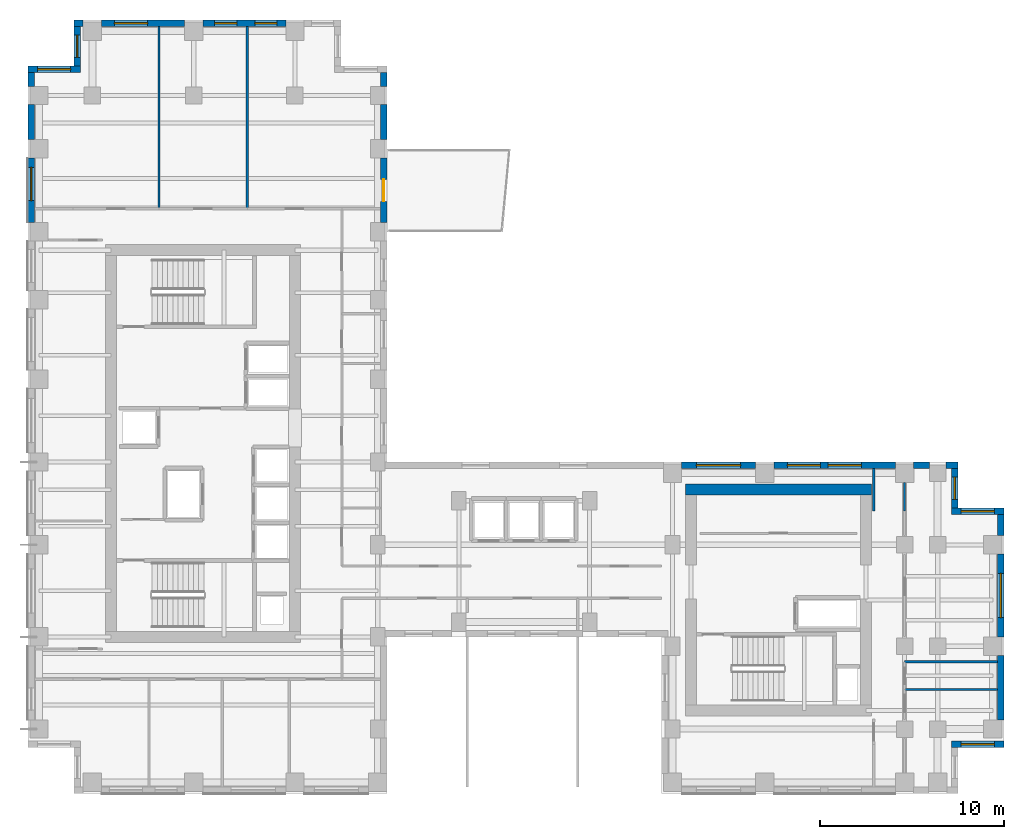
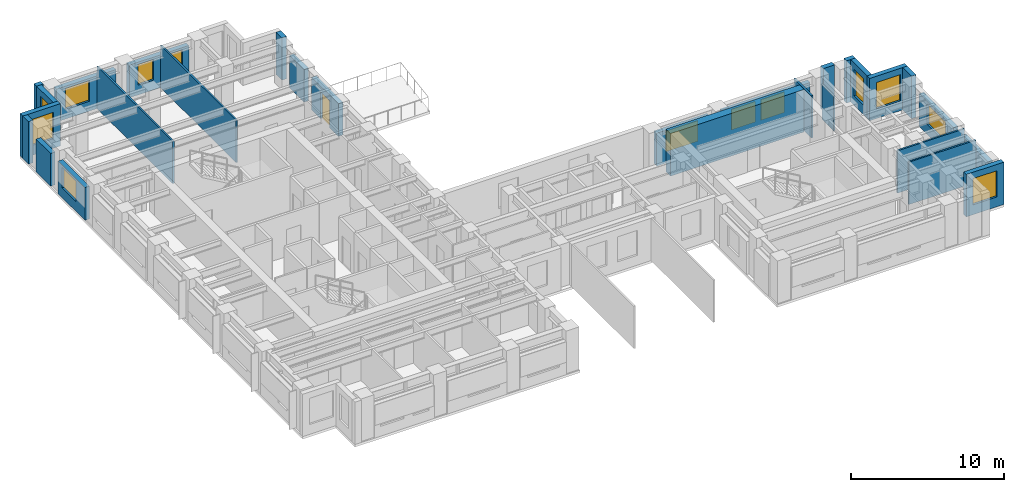
# One storey, part 8 of 11: 28 walls, 13 windows, 1 door, 14 openings.
"""IFC4 building model written with IfcOpenShell, lengths in metres."""

from ifc_helpers import new_model, si_unit, direction, frame, frame_2d, origin, place, context, subcontext, project, spatial, rectangle, extrude, source, transform, mapped, material, layer, layer_set, type_object, element, fill, save


model = new_model("IFC4")

# Units and contexts
model_context = context("Model", 3, precision=1e-05, world=origin(), true_north=direction((0.0, 1.0)))
body_context = subcontext(model_context, "Body", "Model", "MODEL_VIEW")
ifc_project = project(units=[si_unit("LENGTHUNIT", "METRE"), si_unit("AREAUNIT", "SQUARE_METRE"), si_unit("VOLUMEUNIT", "CUBIC_METRE"), si_unit("PLANEANGLEUNIT", "RADIAN"), si_unit("MASSUNIT", "GRAM", prefix="KILO")], contexts=[model_context])

# Site, building, storey
site_placement = place(None, origin())
site = spatial("IfcSite", under=ifc_project, at=site_placement, CompositionType="ELEMENT")
building_placement = place(site_placement, origin())
building = spatial("IfcBuilding", under=site, at=building_placement, Name="Kharzan Plaza Tower", CompositionType="ELEMENT")
storey_placement = place(building_placement, frame((0.0, 0.0, 200.699951171875)))
storey = spatial("IfcBuildingStorey", under=building, at=storey_placement, Name="L54", CompositionType="ELEMENT", Elevation=200.699951171875)

# Wall, openings, windows
ifc_material_1 = material(Name="Concrete C40/50", Category="concrete")
ifc_layer_1 = layer(ifc_material_1, 0.35009765625)
ifc_layer_set_1 = layer_set([ifc_layer_1], Name="Concrete C40/50")
wall_type_1 = type_object("IfcWallType", Name="WL-EXT-MAS-Z3", PredefinedType="SOLIDWALL", material=ifc_layer_set_1)
wall_1_placement = place(storey_placement, frame((14.001953125, 41.824951171875, 0.0), z_axis=(0.0, 0.0, 1.0), x_axis=(-1.0, 0.0, 0.0)))
wall_1 = element("IfcWall", 1, at=wall_1_placement, inside=storey, type_object=wall_type_1, Name="L54 Masonry-Frame Exterior Wall 04", PredefinedType="SOLIDWALL", context=body_context, shape_type="SweptSolid", body=[
    extrude(rectangle(XDim=4.50390625, YDim=0.35009765625, at=frame_2d((2.251953125, 0.0))), origin(), (0.0, 0.0, 1.0), 2.612060546875),
])
opening_1_placement = place(wall_1_placement, frame((0.47802734375, 0.0, 0.780029296875)))
opening_1 = element("IfcOpeningElement", 2, at=opening_1_placement, cuts=wall_1, Name="Opening W3", PredefinedType="OPENING", context=body_context, shape_type="SweptSolid", body=[
    extrude(rectangle(XDim=1.199951171875, YDim=1.652099609375, at=frame_2d((0.60009765625, 0.826171875))), frame((0.0, 0.18505859375, 0.0), z_axis=(0.0, -1.0, 0.0), x_axis=(1.0, 0.0, 0.0)), (0.0, 0.0, 1.0), 0.3701171875),
])
opening_2_placement = place(wall_1_placement, frame((2.659912109375, 0.0, 0.780029296875)))
opening_2 = element("IfcOpeningElement", 3, at=opening_2_placement, cuts=wall_1, Name="Opening W3", PredefinedType="OPENING", context=body_context, shape_type="SweptSolid", body=[
    extrude(rectangle(XDim=1.199951171875, YDim=1.652099609375, at=frame_2d((0.60009765625, 0.826171875))), frame((0.0, 0.18505859375, 0.0), z_axis=(0.0, -1.0, 0.0), x_axis=(1.0, 0.0, 0.0)), (0.0, 0.0, 1.0), 0.3701171875),
])
ifc_material_2 = material(Name="Low-E Double Glazing", Category="glass")
window_type_1 = type_object("IfcWindowType", Name="WN-REC-1200x2100", PartitioningType="SINGLE_PANEL", PredefinedType="WINDOW", material=ifc_material_2)
shared_shape_1 = source(origin(), body_context, "Body", "SweptSolid", [
    extrude(rectangle(XDim=1.199951171875, YDim=1.652099609375, at=frame_2d((0.60009765625, 0.826171875))), frame((0.0, 0.030029296875, 0.0), z_axis=(0.0, -1.0, 0.0), x_axis=(1.0, 0.0, 0.0)), (0.0, 0.0, 1.0), 0.06005859375),
])
window_1_placement = place(opening_1_placement, origin())
window_1 = element("IfcWindow", 4, at=window_1_placement, inside=storey, type_object=window_type_1, Name="L54 Recessed Solar-Control Window 04-1", OverallHeight=1.652099609375, OverallWidth=1.199951171875, PartitioningType="SINGLE_PANEL", PredefinedType="WINDOW", context=body_context, shape_type="MappedRepresentation", body=[
    mapped(shared_shape_1, transform((0.0, 0.0, 0.0), x_axis=(1.0, 0.0, 0.0), y_axis=(0.0, 1.0, 0.0), z_axis=(0.0, 0.0, 1.0))),
])
fill(opening_1, window_1)
window_2_placement = place(opening_2_placement, origin())
window_2 = element("IfcWindow", 5, at=window_2_placement, inside=storey, type_object=window_type_1, Name="L54 Recessed Solar-Control Window 04-2", OverallHeight=1.652099609375, OverallWidth=1.199951171875, PartitioningType="SINGLE_PANEL", PredefinedType="WINDOW", context=body_context, shape_type="MappedRepresentation", body=[
    mapped(shared_shape_1, transform((0.0, 0.0, 0.0), x_axis=(1.0, 0.0, 0.0), y_axis=(0.0, 1.0, 0.0), z_axis=(0.0, 0.0, 1.0))),
])
fill(opening_2, window_2)

# Wall, opening, window
wall_2_placement = place(storey_placement, frame((8.501953125, 41.824951171875, 0.0), z_axis=(0.0, 0.0, 1.0), x_axis=(-1.0, 0.0, 0.0)))
wall_2 = element("IfcWall", 6, at=wall_2_placement, inside=storey, type_object=wall_type_1, Name="L54 Masonry-Frame Exterior Wall 05", PredefinedType="SOLIDWALL", context=body_context, shape_type="SweptSolid", body=[
    extrude(rectangle(XDim=4.50390625, YDim=0.35009765625, at=frame_2d((2.251953125, 0.0))), origin(), (0.0, 0.0, 1.0), 2.612060546875),
])
opening_3_placement = place(wall_2_placement, frame((2.007568359375, 0.0, 0.780029296875)))
opening_3 = element("IfcOpeningElement", 7, at=opening_3_placement, cuts=wall_2, Name="Opening W1", PredefinedType="OPENING", context=body_context, shape_type="SweptSolid", body=[
    extrude(rectangle(XDim=1.800048828125, YDim=1.652099609375, at=frame_2d((0.89990234375, 0.826171875))), frame((0.0, 0.18505859375, 0.0), z_axis=(0.0, -1.0, 0.0), x_axis=(1.0, 0.0, 0.0)), (0.0, 0.0, 1.0), 0.3701171875),
])
window_type_2 = type_object("IfcWindowType", Name="WN-REC-1800x2100", PartitioningType="SINGLE_PANEL", PredefinedType="WINDOW", material=ifc_material_2)
shared_shape_2 = source(origin(), body_context, "Body", "SweptSolid", [
    extrude(rectangle(XDim=1.800048828125, YDim=1.652099609375, at=frame_2d((0.89990234375, 0.826171875))), frame((0.0, 0.030029296875, 0.0), z_axis=(0.0, -1.0, 0.0), x_axis=(1.0, 0.0, 0.0)), (0.0, 0.0, 1.0), 0.06005859375),
])
window_3_placement = place(opening_3_placement, origin())
window_3 = element("IfcWindow", 8, at=window_3_placement, inside=storey, type_object=window_type_2, Name="L54 Recessed Solar-Control Window 05-1", OverallHeight=1.652099609375, OverallWidth=1.800048828125, PartitioningType="SINGLE_PANEL", PredefinedType="WINDOW", context=body_context, shape_type="MappedRepresentation", body=[
    mapped(shared_shape_2, transform((0.0, 0.0, 0.0), x_axis=(1.0, 0.0, 0.0), y_axis=(0.0, 1.0, 0.0), z_axis=(0.0, 0.0, 1.0))),
])
fill(opening_3, window_3)

wall_3_placement = place(storey_placement, frame((2.675048828125, 41.652099609375, 0.0), z_axis=(0.0, 0.0, 1.0), x_axis=(0.0, -1.0, 0.0)))
wall_3 = element("IfcWall", 9, at=wall_3_placement, inside=storey, type_object=wall_type_1, Name="L54 Masonry-Frame Exterior Wall 07", PredefinedType="SOLIDWALL", context=body_context, shape_type="SweptSolid", body=[
    extrude(rectangle(XDim=2.154052734375, YDim=0.35009765625, at=frame_2d((1.0771484375, 0.0))), origin(), (0.0, 0.0, 1.0), 3.385009765625),
])
opening_4_placement = place(wall_3_placement, frame((0.47705078125, 0.0, 0.780029296875)))
opening_4 = element("IfcOpeningElement", 10, at=opening_4_placement, cuts=wall_3, Name="Opening W3", PredefinedType="OPENING", context=body_context, shape_type="SweptSolid", body=[
    extrude(rectangle(XDim=1.199951171875, YDim=2.10009765625, at=frame_2d((0.60009765625, 1.050048828125))), frame((0.0, 0.18505859375, 0.0), z_axis=(0.0, -1.0, 0.0), x_axis=(1.0, 0.0, 0.0)), (0.0, 0.0, 1.0), 0.3701171875),
])
shared_shape_3 = source(origin(), body_context, "Body", "SweptSolid", [
    extrude(rectangle(XDim=1.199951171875, YDim=2.10009765625, at=frame_2d((0.60009765625, 1.050048828125))), frame((0.0, 0.030029296875, 0.0), z_axis=(0.0, -1.0, 0.0), x_axis=(1.0, 0.0, 0.0)), (0.0, 0.0, 1.0), 0.06005859375),
])
window_4_placement = place(opening_4_placement, origin())
window_4 = element("IfcWindow", 11, at=window_4_placement, inside=storey, type_object=window_type_1, Name="L54 Recessed Solar-Control Window 07-1", OverallHeight=2.10009765625, OverallWidth=1.199951171875, PartitioningType="SINGLE_PANEL", PredefinedType="WINDOW", context=body_context, shape_type="MappedRepresentation", body=[
    mapped(shared_shape_3, transform((0.0, 0.0, 0.0), x_axis=(1.0, 0.0, 0.0), y_axis=(0.0, 1.0, 0.0), z_axis=(0.0, 0.0, 1.0))),
])
fill(opening_4, window_4)

wall_4_placement = place(storey_placement, frame((2.85009765625, 39.324951171875, 0.0), z_axis=(0.0, 0.0, 1.0), x_axis=(-1.0, 0.0, 0.0)))
wall_4 = element("IfcWall", 12, at=wall_4_placement, inside=storey, type_object=wall_type_1, Name="L54 Masonry-Frame Exterior Wall 08", PredefinedType="SOLIDWALL", context=body_context, shape_type="SweptSolid", body=[
    extrude(rectangle(XDim=2.85009765625, YDim=0.35009765625, at=frame_2d((1.425048828125, 0.0))), origin(), (0.0, 0.0, 1.0), 3.385009765625),
])
opening_5_placement = place(wall_4_placement, frame((0.52490234375, 0.0, 0.780029296875)))
opening_5 = element("IfcOpeningElement", 13, at=opening_5_placement, cuts=wall_4, Name="Opening W1", PredefinedType="OPENING", context=body_context, shape_type="SweptSolid", body=[
    extrude(rectangle(XDim=1.800048828125, YDim=2.10009765625, at=frame_2d((0.89990234375, 1.050048828125))), frame((0.0, 0.18505859375, 0.0), z_axis=(0.0, -1.0, 0.0), x_axis=(1.0, 0.0, 0.0)), (0.0, 0.0, 1.0), 0.3701171875),
])
shared_shape_4 = source(origin(), body_context, "Body", "SweptSolid", [
    extrude(rectangle(XDim=1.800048828125, YDim=2.10009765625, at=frame_2d((0.89990234375, 1.050048828125))), frame((0.0, 0.030029296875, 0.0), z_axis=(0.0, -1.0, 0.0), x_axis=(1.0, 0.0, 0.0)), (0.0, 0.0, 1.0), 0.06005859375),
])
window_5_placement = place(opening_5_placement, origin())
window_5 = element("IfcWindow", 14, at=window_5_placement, inside=storey, type_object=window_type_2, Name="L54 Recessed Solar-Control Window 08-1", OverallHeight=2.10009765625, OverallWidth=1.800048828125, PartitioningType="SINGLE_PANEL", PredefinedType="WINDOW", context=body_context, shape_type="MappedRepresentation", body=[
    mapped(shared_shape_4, transform((0.0, 0.0, 0.0), x_axis=(1.0, 0.0, 0.0), y_axis=(0.0, 1.0, 0.0), z_axis=(0.0, 0.0, 1.0))),
])
fill(opening_5, window_5)

wall_5_placement = place(storey_placement, frame((0.175048828125, 34.501953125, 0.0), z_axis=(0.0, 0.0, 1.0), x_axis=(0.0, -1.0, 0.0)))
wall_5 = element("IfcWall", 15, at=wall_5_placement, inside=storey, type_object=wall_type_1, Name="L54 Masonry-Frame Exterior Wall 11", PredefinedType="SOLIDWALL", context=body_context, shape_type="SweptSolid", body=[
    extrude(rectangle(XDim=3.50390625, YDim=0.35009765625, at=frame_2d((1.751953125, 0.0))), origin(), (0.0, 0.0, 1.0), 2.612060546875),
])
opening_6_placement = place(wall_5_placement, frame((0.510986328125, 0.0, 0.780029296875)))
opening_6 = element("IfcOpeningElement", 16, at=opening_6_placement, cuts=wall_5, Name="Opening W1", PredefinedType="OPENING", context=body_context, shape_type="SweptSolid", body=[
    extrude(rectangle(XDim=1.800048828125, YDim=1.652099609375, at=frame_2d((0.89990234375, 0.826171875))), frame((0.0, 0.18505859375, 0.0), z_axis=(0.0, -1.0, 0.0), x_axis=(1.0, 0.0, 0.0)), (0.0, 0.0, 1.0), 0.3701171875),
])
window_6_placement = place(opening_6_placement, origin())
window_6 = element("IfcWindow", 17, at=window_6_placement, inside=storey, type_object=window_type_2, Name="L54 Recessed Solar-Control Window 11-1", OverallHeight=1.652099609375, OverallWidth=1.800048828125, PartitioningType="SINGLE_PANEL", PredefinedType="WINDOW", context=body_context, shape_type="MappedRepresentation", body=[
    mapped(shared_shape_2, transform((0.0, 0.0, 0.0), x_axis=(1.0, 0.0, 0.0), y_axis=(0.0, 1.0, 0.0), z_axis=(0.0, 0.0, 1.0))),
])
fill(opening_6, window_6)

wall_6_placement = place(storey_placement, frame((50.14990234375, 2.675048828125, 0.0), z_axis=(0.0, 0.0, 1.0), x_axis=(1.0, 0.0, 0.0)))
wall_6 = element("IfcWall", 18, at=wall_6_placement, inside=storey, type_object=wall_type_1, Name="L54 Masonry-Frame Exterior Wall 36", PredefinedType="SOLIDWALL", context=body_context, shape_type="SweptSolid", body=[
    extrude(rectangle(XDim=2.85009765625, YDim=0.35009765625, at=frame_2d((1.425048828125, 0.0))), origin(), (0.0, 0.0, 1.0), 3.385009765625),
])
opening_7_placement = place(wall_6_placement, frame((0.52490234375, 0.0, 0.780029296875)))
opening_7 = element("IfcOpeningElement", 19, at=opening_7_placement, cuts=wall_6, Name="Opening W1", PredefinedType="OPENING", context=body_context, shape_type="SweptSolid", body=[
    extrude(rectangle(XDim=1.800048828125, YDim=2.10009765625, at=frame_2d((0.89990234375, 1.050048828125))), frame((0.0, 0.18505859375, 0.0), z_axis=(0.0, -1.0, 0.0), x_axis=(1.0, 0.0, 0.0)), (0.0, 0.0, 1.0), 0.3701171875),
])
window_7_placement = place(opening_7_placement, origin())
window_7 = element("IfcWindow", 20, at=window_7_placement, inside=storey, type_object=window_type_2, Name="L54 Recessed Solar-Control Window 36-1", OverallHeight=2.10009765625, OverallWidth=1.800048828125, PartitioningType="SINGLE_PANEL", PredefinedType="WINDOW", context=body_context, shape_type="MappedRepresentation", body=[
    mapped(shared_shape_4, transform((0.0, 0.0, 0.0), x_axis=(1.0, 0.0, 0.0), y_axis=(0.0, 1.0, 0.0), z_axis=(0.0, 0.0, 1.0))),
])
fill(opening_7, window_7)

wall_7_placement = place(storey_placement, frame((52.824951171875, 8.498046875, 0.0), z_axis=(0.0, 0.0, 1.0), x_axis=(0.0, 1.0, 0.0)))
wall_7 = element("IfcWall", 21, at=wall_7_placement, inside=storey, type_object=wall_type_1, Name="L54 Masonry-Frame Exterior Wall 38", PredefinedType="SOLIDWALL", context=body_context, shape_type="SweptSolid", body=[
    extrude(rectangle(XDim=4.50390625, YDim=0.35009765625, at=frame_2d((2.251953125, 0.0))), origin(), (0.0, 0.0, 1.0), 2.612060546875),
])
opening_8_placement = place(wall_7_placement, frame((1.052001953125, 0.0, 0.780029296875)))
opening_8 = element("IfcOpeningElement", 22, at=opening_8_placement, cuts=wall_7, Name="Opening W2", PredefinedType="OPENING", context=body_context, shape_type="SweptSolid", body=[
    extrude(rectangle(XDim=2.39990234375, YDim=1.652099609375, at=frame_2d((1.199951171875, 0.826171875))), frame((0.0, 0.18505859375, 0.0), z_axis=(0.0, -1.0, 0.0), x_axis=(1.0, 0.0, 0.0)), (0.0, 0.0, 1.0), 0.3701171875),
])
window_type_3 = type_object("IfcWindowType", Name="WN-REC-2400x2100", PartitioningType="SINGLE_PANEL", PredefinedType="WINDOW", material=ifc_material_2)
shared_shape_5 = source(origin(), body_context, "Body", "SweptSolid", [
    extrude(rectangle(XDim=2.39990234375, YDim=1.652099609375, at=frame_2d((1.199951171875, 0.826171875))), frame((0.0, 0.030029296875, 0.0), z_axis=(0.0, -1.0, 0.0), x_axis=(1.0, 0.0, 0.0)), (0.0, 0.0, 1.0), 0.06005859375),
])
window_8_placement = place(opening_8_placement, origin())
window_8 = element("IfcWindow", 23, at=window_8_placement, inside=storey, type_object=window_type_3, Name="L54 Wide Recessed Solar-Control Window 38-1", OverallHeight=1.652099609375, OverallWidth=2.39990234375, PartitioningType="SINGLE_PANEL", PredefinedType="WINDOW", context=body_context, shape_type="MappedRepresentation", body=[
    mapped(shared_shape_5, transform((0.0, 0.0, 0.0), x_axis=(1.0, 0.0, 0.0), y_axis=(0.0, 1.0, 0.0), z_axis=(0.0, 0.0, 1.0))),
])
fill(opening_8, window_8)

wall_8_placement = place(storey_placement, frame((53.0, 15.324951171875, 0.0), z_axis=(0.0, 0.0, 1.0), x_axis=(-1.0, 0.0, 0.0)))
wall_8 = element("IfcWall", 24, at=wall_8_placement, inside=storey, type_object=wall_type_1, Name="L54 Masonry-Frame Exterior Wall 40", PredefinedType="SOLIDWALL", context=body_context, shape_type="SweptSolid", body=[
    extrude(rectangle(XDim=2.85009765625, YDim=0.35009765625, at=frame_2d((1.425048828125, 0.0))), origin(), (0.0, 0.0, 1.0), 3.385009765625),
])
opening_9_placement = place(wall_8_placement, frame((0.52490234375, 0.0, 0.780029296875)))
opening_9 = element("IfcOpeningElement", 25, at=opening_9_placement, cuts=wall_8, Name="Opening W1", PredefinedType="OPENING", context=body_context, shape_type="SweptSolid", body=[
    extrude(rectangle(XDim=1.800048828125, YDim=2.10009765625, at=frame_2d((0.89990234375, 1.050048828125))), frame((0.0, 0.18505859375, 0.0), z_axis=(0.0, -1.0, 0.0), x_axis=(1.0, 0.0, 0.0)), (0.0, 0.0, 1.0), 0.3701171875),
])
window_9_placement = place(opening_9_placement, origin())
window_9 = element("IfcWindow", 26, at=window_9_placement, inside=storey, type_object=window_type_2, Name="L54 Recessed Solar-Control Window 40-1", OverallHeight=2.10009765625, OverallWidth=1.800048828125, PartitioningType="SINGLE_PANEL", PredefinedType="WINDOW", context=body_context, shape_type="MappedRepresentation", body=[
    mapped(shared_shape_4, transform((0.0, 0.0, 0.0), x_axis=(1.0, 0.0, 0.0), y_axis=(0.0, 1.0, 0.0), z_axis=(0.0, 0.0, 1.0))),
])
fill(opening_9, window_9)

wall_9_placement = place(storey_placement, frame((50.324951171875, 15.498046875, 0.0), z_axis=(0.0, 0.0, 1.0), x_axis=(0.0, 1.0, 0.0)))
wall_9 = element("IfcWall", 27, at=wall_9_placement, inside=storey, type_object=wall_type_1, Name="L54 Masonry-Frame Exterior Wall 41", PredefinedType="SOLIDWALL", context=body_context, shape_type="SweptSolid", body=[
    extrude(rectangle(XDim=2.154052734375, YDim=0.35009765625, at=frame_2d((1.0771484375, 0.0))), origin(), (0.0, 0.0, 1.0), 3.385009765625),
])
opening_10_placement = place(wall_9_placement, frame((0.47705078125, 0.0, 0.780029296875)))
opening_10 = element("IfcOpeningElement", 28, at=opening_10_placement, cuts=wall_9, Name="Opening W3", PredefinedType="OPENING", context=body_context, shape_type="SweptSolid", body=[
    extrude(rectangle(XDim=1.199951171875, YDim=2.10009765625, at=frame_2d((0.60009765625, 1.050048828125))), frame((0.0, 0.18505859375, 0.0), z_axis=(0.0, -1.0, 0.0), x_axis=(1.0, 0.0, 0.0)), (0.0, 0.0, 1.0), 0.3701171875),
])
window_10_placement = place(opening_10_placement, origin())
window_10 = element("IfcWindow", 29, at=window_10_placement, inside=storey, type_object=window_type_1, Name="L54 Recessed Solar-Control Window 41-1", OverallHeight=2.10009765625, OverallWidth=1.199951171875, PartitioningType="SINGLE_PANEL", PredefinedType="WINDOW", context=body_context, shape_type="MappedRepresentation", body=[
    mapped(shared_shape_3, transform((0.0, 0.0, 0.0), x_axis=(1.0, 0.0, 0.0), y_axis=(0.0, 1.0, 0.0), z_axis=(0.0, 0.0, 1.0))),
])
fill(opening_10, window_10)

# Wall, openings, windows
wall_10_placement = place(storey_placement, frame((47.10205078125, 17.824951171875, 0.0), z_axis=(0.0, 0.0, 1.0), x_axis=(-1.0, 0.0, 0.0)))
wall_10 = element("IfcWall", 30, at=wall_10_placement, inside=storey, type_object=wall_type_1, Name="L54 Masonry-Frame Exterior Wall 44", PredefinedType="SOLIDWALL", context=body_context, shape_type="SweptSolid", body=[
    extrude(rectangle(XDim=6.60400390625, YDim=0.35009765625, at=frame_2d((3.302001953125, 0.0))), origin(), (0.0, 0.0, 1.0), 2.612060546875),
])
opening_11_placement = place(wall_10_placement, frame((1.849365234375, 0.0, 0.780029296875)))
opening_11 = element("IfcOpeningElement", 31, at=opening_11_placement, cuts=wall_10, Name="Opening W1", PredefinedType="OPENING", context=body_context, shape_type="SweptSolid", body=[
    extrude(rectangle(XDim=1.800048828125, YDim=1.652099609375, at=frame_2d((0.89990234375, 0.826171875))), frame((0.0, 0.18505859375, 0.0), z_axis=(0.0, -1.0, 0.0), x_axis=(1.0, 0.0, 0.0)), (0.0, 0.0, 1.0), 0.3701171875),
])
opening_12_placement = place(wall_10_placement, frame((4.066650390625, 0.0, 0.780029296875)))
opening_12 = element("IfcOpeningElement", 32, at=opening_12_placement, cuts=wall_10, Name="Opening W1", PredefinedType="OPENING", context=body_context, shape_type="SweptSolid", body=[
    extrude(rectangle(XDim=1.800048828125, YDim=1.652099609375, at=frame_2d((0.89990234375, 0.826171875))), frame((0.0, 0.18505859375, 0.0), z_axis=(0.0, -1.0, 0.0), x_axis=(1.0, 0.0, 0.0)), (0.0, 0.0, 1.0), 0.3701171875),
])
window_11_placement = place(opening_11_placement, origin())
window_11 = element("IfcWindow", 33, at=window_11_placement, inside=storey, type_object=window_type_2, Name="L54 Recessed Solar-Control Window 44-1", OverallHeight=1.652099609375, OverallWidth=1.800048828125, PartitioningType="SINGLE_PANEL", PredefinedType="WINDOW", context=body_context, shape_type="MappedRepresentation", body=[
    mapped(shared_shape_2, transform((0.0, 0.0, 0.0), x_axis=(1.0, 0.0, 0.0), y_axis=(0.0, 1.0, 0.0), z_axis=(0.0, 0.0, 1.0))),
])
fill(opening_11, window_11)
window_12_placement = place(opening_12_placement, origin())
window_12 = element("IfcWindow", 34, at=window_12_placement, inside=storey, type_object=window_type_2, Name="L54 Recessed Solar-Control Window 44-2", OverallHeight=1.652099609375, OverallWidth=1.800048828125, PartitioningType="SINGLE_PANEL", PredefinedType="WINDOW", context=body_context, shape_type="MappedRepresentation", body=[
    mapped(shared_shape_2, transform((0.0, 0.0, 0.0), x_axis=(1.0, 0.0, 0.0), y_axis=(0.0, 1.0, 0.0), z_axis=(0.0, 0.0, 1.0))),
])
fill(opening_12, window_12)

# Wall, opening, window
wall_11_placement = place(storey_placement, frame((39.501953125, 17.824951171875, 0.0), z_axis=(0.0, 0.0, 1.0), x_axis=(-1.0, 0.0, 0.0)))
wall_11 = element("IfcWall", 35, at=wall_11_placement, inside=storey, type_object=wall_type_1, Name="L54 Masonry-Frame Exterior Wall 45", PredefinedType="SOLIDWALL", context=body_context, shape_type="SweptSolid", body=[
    extrude(rectangle(XDim=4.00390625, YDim=0.35009765625, at=frame_2d((2.001953125, 0.0))), origin(), (0.0, 0.0, 1.0), 2.612060546875),
])
opening_13_placement = place(wall_11_placement, frame((0.802001953125, 0.0, 0.780029296875)))
opening_13 = element("IfcOpeningElement", 36, at=opening_13_placement, cuts=wall_11, Name="Opening W2", PredefinedType="OPENING", context=body_context, shape_type="SweptSolid", body=[
    extrude(rectangle(XDim=2.39990234375, YDim=1.652099609375, at=frame_2d((1.199951171875, 0.826171875))), frame((0.0, 0.18505859375, 0.0), z_axis=(0.0, -1.0, 0.0), x_axis=(1.0, 0.0, 0.0)), (0.0, 0.0, 1.0), 0.3701171875),
])
window_13_placement = place(opening_13_placement, origin())
window_13 = element("IfcWindow", 37, at=window_13_placement, inside=storey, type_object=window_type_3, Name="L54 Wide Recessed Solar-Control Window 45-1", OverallHeight=1.652099609375, OverallWidth=2.39990234375, PartitioningType="SINGLE_PANEL", PredefinedType="WINDOW", context=body_context, shape_type="MappedRepresentation", body=[
    mapped(shared_shape_5, transform((0.0, 0.0, 0.0), x_axis=(1.0, 0.0, 0.0), y_axis=(0.0, 1.0, 0.0), z_axis=(0.0, 0.0, 1.0))),
])
fill(opening_13, window_13)

# Wall, opening, door
wall_12_placement = place(storey_placement, frame((19.324951171875, 30.998046875, 0.0), z_axis=(0.0, 0.0, 1.0), x_axis=(0.0, 1.0, 0.0)))
wall_12 = element("IfcWall", 38, at=wall_12_placement, inside=storey, type_object=wall_type_1, Name="L54 Masonry-Frame Exterior Wall 50", PredefinedType="SOLIDWALL", context=body_context, shape_type="SweptSolid", body=[
    extrude(rectangle(XDim=3.50390625, YDim=0.35009765625, at=frame_2d((1.751953125, 0.0))), origin(), (0.0, 0.0, 1.0), 2.612060546875),
])
opening_14_placement = place(wall_12_placement, frame((1.152099609375, 0.0, 0.0)))
opening_14 = element("IfcOpeningElement", 39, at=opening_14_placement, cuts=wall_12, Name="Opening ED3", PredefinedType="OPENING", context=body_context, shape_type="SweptSolid", body=[
    extrude(rectangle(XDim=1.199951171875, YDim=2.14990234375, at=frame_2d((0.60009765625, 1.074951171875))), frame((0.0, 0.18505859375, 0.0), z_axis=(0.0, -1.0, 0.0), x_axis=(1.0, 0.0, 0.0)), (0.0, 0.0, 1.0), 0.3701171875),
])
ifc_material_3 = material(Name="Thermally Broken Anodized Bronze Aluminium", Category="aluminium")
door_type = type_object("IfcDoorType", Name="DR-EXT-TRAY-1200", OperationType="SINGLE_SWING_LEFT", PredefinedType="DOOR", material=ifc_material_3)
shared_shape_6 = source(origin(), body_context, "Body", "SweptSolid", [
    extrude(rectangle(XDim=1.199951171875, YDim=2.14990234375, at=frame_2d((0.60009765625, 1.074951171875))), frame((0.0, 0.02490234375, 0.0), z_axis=(0.0, -1.0, 0.0), x_axis=(1.0, 0.0, 0.0)), (0.0, 0.0, 1.0), 0.050048828125),
])
door_placement = place(opening_14_placement, frame((1.199951171875, 0.0, 0.0), z_axis=(0.0, 0.0, 1.0), x_axis=(-1.0, 0.0, 0.0)))
door = element("IfcDoor", 40, at=door_placement, inside=storey, type_object=door_type, Name="L54 Cantilevered Sky-Terrace Tray Access Door", OperationType="SINGLE_SWING_LEFT", OverallHeight=2.14990234375, OverallWidth=1.199951171875, PredefinedType="DOOR", context=body_context, shape_type="MappedRepresentation", body=[
    mapped(shared_shape_6, transform((0.0, 0.0, 0.0), x_axis=(1.0, 0.0, 0.0), y_axis=(0.0, 1.0, 0.0), z_axis=(0.0, 0.0, 1.0))),
])
fill(opening_14, door)

# Walls
shared_shape_7 = source(origin(), body_context, "Body", "SweptSolid", [
    extrude(rectangle(XDim=0.501953125, YDim=0.35009765625, at=frame_2d((0.2509765625, 0.0))), origin(), (0.0, 0.0, 1.0), 3.385009765625),
])
wall_13_placement = place(storey_placement, frame((3.001953125, 41.824951171875, 0.0), z_axis=(0.0, 0.0, 1.0), x_axis=(-1.0, 0.0, 0.0)))
element("IfcWall", 41, at=wall_13_placement, inside=storey, type_object=wall_type_1, Name="L54 Masonry-Frame Exterior Wall 06", PredefinedType="SOLIDWALL", context=body_context, shape_type="MappedRepresentation", body=[
    mapped(shared_shape_7, transform((0.0, 0.0, 0.0), x_axis=(1.0, 0.0, 0.0), y_axis=(0.0, 1.0, 0.0), z_axis=(0.0, 0.0, 1.0))),
])
shared_shape_8 = source(origin(), body_context, "Body", "SweptSolid", [
    extrude(rectangle(XDim=0.754150390625, YDim=0.35009765625, at=frame_2d((0.376953125, 0.0))), origin(), (0.0, 0.0, 1.0), 3.385009765625),
])
for number, where, z_axis, x_axis, name in (
    (42, (0.175048828125, 39.152099609375, 0.0), (0.0, 0.0, 1.0), (0.0, -1.0, 0.0), "L54 Masonry-Frame Exterior Wall 09"),
    (43, (19.324951171875, 38.39794921875, 0.0), (0.0, 0.0, 1.0), (0.0, 1.0, 0.0), "L54 Masonry-Frame Exterior Wall 52"),
):
    element("IfcWall", number, at=place(storey_placement, frame(where, z_axis=z_axis, x_axis=x_axis)), inside=storey, type_object=wall_type_1, Name=name, PredefinedType="SOLIDWALL", context=body_context, shape_type="MappedRepresentation", body=[
        mapped(shared_shape_8, transform((0.0, 0.0, 0.0), x_axis=(1.0, 0.0, 0.0), y_axis=(0.0, 1.0, 0.0), z_axis=(0.0, 0.0, 1.0))),
    ])
shared_shape_9 = source(origin(), body_context, "Body", "SweptSolid", [
    extrude(rectangle(XDim=1.154052734375, YDim=0.35009765625, at=frame_2d((0.5771484375, 0.0))), origin(), (0.0, 0.0, 1.0), 3.385009765625),
])
wall_14_placement = place(storey_placement, frame((52.824951171875, 13.998046875, 0.0), z_axis=(0.0, 0.0, 1.0), x_axis=(0.0, 1.0, 0.0)))
element("IfcWall", 44, at=wall_14_placement, inside=storey, type_object=wall_type_1, Name="L54 Masonry-Frame Exterior Wall 39", PredefinedType="SOLIDWALL", context=body_context, shape_type="MappedRepresentation", body=[
    mapped(shared_shape_9, transform((0.0, 0.0, 0.0), x_axis=(1.0, 0.0, 0.0), y_axis=(0.0, 1.0, 0.0), z_axis=(0.0, 0.0, 1.0))),
])
shared_shape_10 = source(origin(), body_context, "Body", "SweptSolid", [
    extrude(rectangle(XDim=0.652099609375, YDim=0.35009765625, at=frame_2d((0.326171875, 0.0))), origin(), (0.0, 0.0, 1.0), 3.385009765625),
])
wall_15_placement = place(storey_placement, frame((50.5, 17.824951171875, 0.0), z_axis=(0.0, 0.0, 1.0), x_axis=(-1.0, 0.0, 0.0)))
element("IfcWall", 45, at=wall_15_placement, inside=storey, type_object=wall_type_1, Name="L54 Masonry-Frame Exterior Wall 42", PredefinedType="SOLIDWALL", context=body_context, shape_type="MappedRepresentation", body=[
    mapped(shared_shape_10, transform((0.0, 0.0, 0.0), x_axis=(1.0, 0.0, 0.0), y_axis=(0.0, 1.0, 0.0), z_axis=(0.0, 0.0, 1.0))),
])
shared_shape_11 = source(origin(), body_context, "Body", "SweptSolid", [
    extrude(rectangle(XDim=0.85400390625, YDim=0.35009765625, at=frame_2d((0.427001953125, 0.0))), origin(), (0.0, 0.0, 1.0), 3.385009765625),
])
wall_16_placement = place(storey_placement, frame((48.951904296875, 17.824951171875, 0.0), z_axis=(0.0, 0.0, 1.0), x_axis=(-1.0, 0.0, 0.0)))
element("IfcWall", 46, at=wall_16_placement, inside=storey, type_object=wall_type_1, Name="L54 Masonry-Frame Exterior Wall 43", PredefinedType="SOLIDWALL", context=body_context, shape_type="MappedRepresentation", body=[
    mapped(shared_shape_11, transform((0.0, 0.0, 0.0), x_axis=(1.0, 0.0, 0.0), y_axis=(0.0, 1.0, 0.0), z_axis=(0.0, 0.0, 1.0))),
])
ifc_material_4 = material(Name="Fire-Rated Gypsum Board Partition", Category="gypsum")
ifc_layer_2 = layer(ifc_material_4, 0.125)
ifc_layer_set_2 = layer_set([ifc_layer_2], Name="Fire-Rated Gypsum Board Partition")
wall_type_2 = type_object("IfcWallType", Name="WL-INT-PART-125", PredefinedType="PARTITIONING", material=ifc_layer_set_2)
shared_shape_12 = source(origin(), body_context, "Body", "SweptSolid", [
    extrude(rectangle(XDim=5.0478515625, YDim=0.125, at=frame_2d((2.52392578125, 0.0))), origin(), (0.0, 0.0, 1.0), 3.385009765625),
])
for number, where, z_axis, x_axis, name in (
    (47, (47.60009765625, 5.64990234375, 0.0), (0.0, 0.0, 1.0), (1.0, 0.0, 0.0), "L54 Interior Partition SH-B0H1"),
    (48, (47.60009765625, 7.14990234375, 0.0), (0.0, 0.0, 1.0), (1.0, 0.0, 0.0), "L54 Interior Partition SH-B0H2"),
):
    element("IfcWall", number, at=place(storey_placement, frame(where, z_axis=z_axis, x_axis=x_axis)), inside=storey, type_object=wall_type_2, Name=name, PredefinedType="PARTITIONING", context=body_context, shape_type="MappedRepresentation", body=[
        mapped(shared_shape_12, transform((0.0, 0.0, 0.0), x_axis=(1.0, 0.0, 0.0), y_axis=(0.0, 1.0, 0.0), z_axis=(0.0, 0.0, 1.0))),
    ])
shared_shape_13 = source(origin(), body_context, "Body", "SweptSolid", [
    extrude(rectangle(XDim=1.52978515625, YDim=0.125, at=frame_2d((0.764892578125, 0.0))), origin(), (0.0, 0.0, 1.0), 2.77294921875),
])
wall_17_placement = place(storey_placement, frame((47.60009765625, 15.35009765625, 0.0), z_axis=(0.0, 0.0, 1.0), x_axis=(0.0, 1.0, 0.0)))
element("IfcWall", 49, at=wall_17_placement, inside=storey, type_object=wall_type_2, Name="L54 Interior Partition SH-B0W1N", PredefinedType="PARTITIONING", context=body_context, shape_type="MappedRepresentation", body=[
    mapped(shared_shape_13, transform((0.0, 0.0, 0.0), x_axis=(1.0, 0.0, 0.0), y_axis=(0.0, 1.0, 0.0), z_axis=(0.0, 0.0, 1.0))),
])
shared_shape_14 = source(origin(), body_context, "Body", "SweptSolid", [
    extrude(rectangle(XDim=2.2978515625, YDim=0.125, at=frame_2d((1.14892578125, 0.0))), origin(), (0.0, 0.0, 1.0), 3.385009765625),
])
wall_18_placement = place(storey_placement, frame((45.919921875, 15.35009765625, 0.0), z_axis=(0.0, 0.0, 1.0), x_axis=(0.0, 1.0, 0.0)))
element("IfcWall", 50, at=wall_18_placement, inside=storey, type_object=wall_type_2, Name="L54 Interior Partition SH-RBNE0", PredefinedType="PARTITIONING", context=body_context, shape_type="MappedRepresentation", body=[
    mapped(shared_shape_14, transform((0.0, 0.0, 0.0), x_axis=(1.0, 0.0, 0.0), y_axis=(0.0, 1.0, 0.0), z_axis=(0.0, 0.0, 1.0))),
])
ifc_material_5 = material(Name="Concrete C50/60", Category="concrete")
ifc_layer_3 = layer(ifc_material_5, 0.60009765625)
ifc_layer_set_3 = layer_set([ifc_layer_3], Name="Concrete C50/60")
wall_type_3 = type_object("IfcWallType", Name="WL-CORE-600", PredefinedType="SHEAR", material=ifc_layer_set_3)
shared_shape_15 = source(origin(), body_context, "Body", "SweptSolid", [
    extrude(rectangle(XDim=10.10009765625, YDim=0.60009765625, at=frame_2d((5.050048828125, 0.0))), origin(), (0.0, 0.0, 1.0), 3.400146484375),
])
wall_19_placement = place(storey_placement, frame((35.699951171875, 16.5, 0.0), z_axis=(0.0, 0.0, 1.0), x_axis=(1.0, 0.0, 0.0)))
element("IfcWall", 51, at=wall_19_placement, inside=storey, type_object=wall_type_3, Name="L54 CORE-B north RC shear wall", PredefinedType="SHEAR", context=body_context, shape_type="MappedRepresentation", body=[
    mapped(shared_shape_15, transform((0.0, 0.0, 0.0), x_axis=(1.0, 0.0, 0.0), y_axis=(0.0, 1.0, 0.0), z_axis=(0.0, 0.0, 1.0))),
])
shared_shape_16 = source(origin(), body_context, "Body", "SweptSolid", [
    extrude(rectangle(XDim=1.904052734375, YDim=0.35009765625, at=frame_2d((0.9521484375, 0.0))), origin(), (0.0, 0.0, 1.0), 2.612060546875),
])
for number, where, z_axis, x_axis, name in (
    (52, (0.175048828125, 37.402099609375, 0.0), (0.0, 0.0, 1.0), (0.0, -1.0, 0.0), "L54 Masonry-Frame Exterior Wall 10"),
    (53, (19.324951171875, 35.498046875, 0.0), (0.0, 0.0, 1.0), (0.0, 1.0, 0.0), "L54 Masonry-Frame Exterior Wall 51"),
):
    element("IfcWall", number, at=place(storey_placement, frame(where, z_axis=z_axis, x_axis=x_axis)), inside=storey, type_object=wall_type_1, Name=name, PredefinedType="SOLIDWALL", context=body_context, shape_type="MappedRepresentation", body=[
        mapped(shared_shape_16, transform((0.0, 0.0, 0.0), x_axis=(1.0, 0.0, 0.0), y_axis=(0.0, 1.0, 0.0), z_axis=(0.0, 0.0, 1.0))),
    ])
shared_shape_17 = source(origin(), body_context, "Body", "SweptSolid", [
    extrude(rectangle(XDim=3.50390625, YDim=0.35009765625, at=frame_2d((1.751953125, 0.0))), origin(), (0.0, 0.0, 1.0), 2.612060546875),
])
wall_20_placement = place(storey_placement, frame((52.824951171875, 3.998046875, 0.0), z_axis=(0.0, 0.0, 1.0), x_axis=(0.0, 1.0, 0.0)))
element("IfcWall", 54, at=wall_20_placement, inside=storey, type_object=wall_type_1, Name="L54 Masonry-Frame Exterior Wall 37", PredefinedType="SOLIDWALL", context=body_context, shape_type="MappedRepresentation", body=[
    mapped(shared_shape_17, transform((0.0, 0.0, 0.0), x_axis=(1.0, 0.0, 0.0), y_axis=(0.0, 1.0, 0.0), z_axis=(0.0, 0.0, 1.0))),
])
shared_shape_18 = source(origin(), body_context, "Body", "SweptSolid", [
    extrude(rectangle(XDim=9.89794921875, YDim=0.125, at=frame_2d((4.948974609375, 0.0))), origin(), (0.0, 0.0, 1.0), 3.385009765625),
])
for number, where, z_axis, x_axis, name in (
    (55, (7.12109375, 31.75, 0.0), (0.0, 0.0, 1.0), (0.0, 1.0, 0.0), "L54 Interior Partition SH-NV-1"),
    (56, (11.916015625, 31.75, 0.0), (0.0, 0.0, 1.0), (0.0, 1.0, 0.0), "L54 Interior Partition SH-NV-2"),
):
    element("IfcWall", number, at=place(storey_placement, frame(where, z_axis=z_axis, x_axis=x_axis)), inside=storey, type_object=wall_type_2, Name=name, PredefinedType="PARTITIONING", context=body_context, shape_type="MappedRepresentation", body=[
        mapped(shared_shape_18, transform((0.0, 0.0, 0.0), x_axis=(1.0, 0.0, 0.0), y_axis=(0.0, 1.0, 0.0), z_axis=(0.0, 0.0, 1.0))),
    ])

save(model, "model.ifc")
